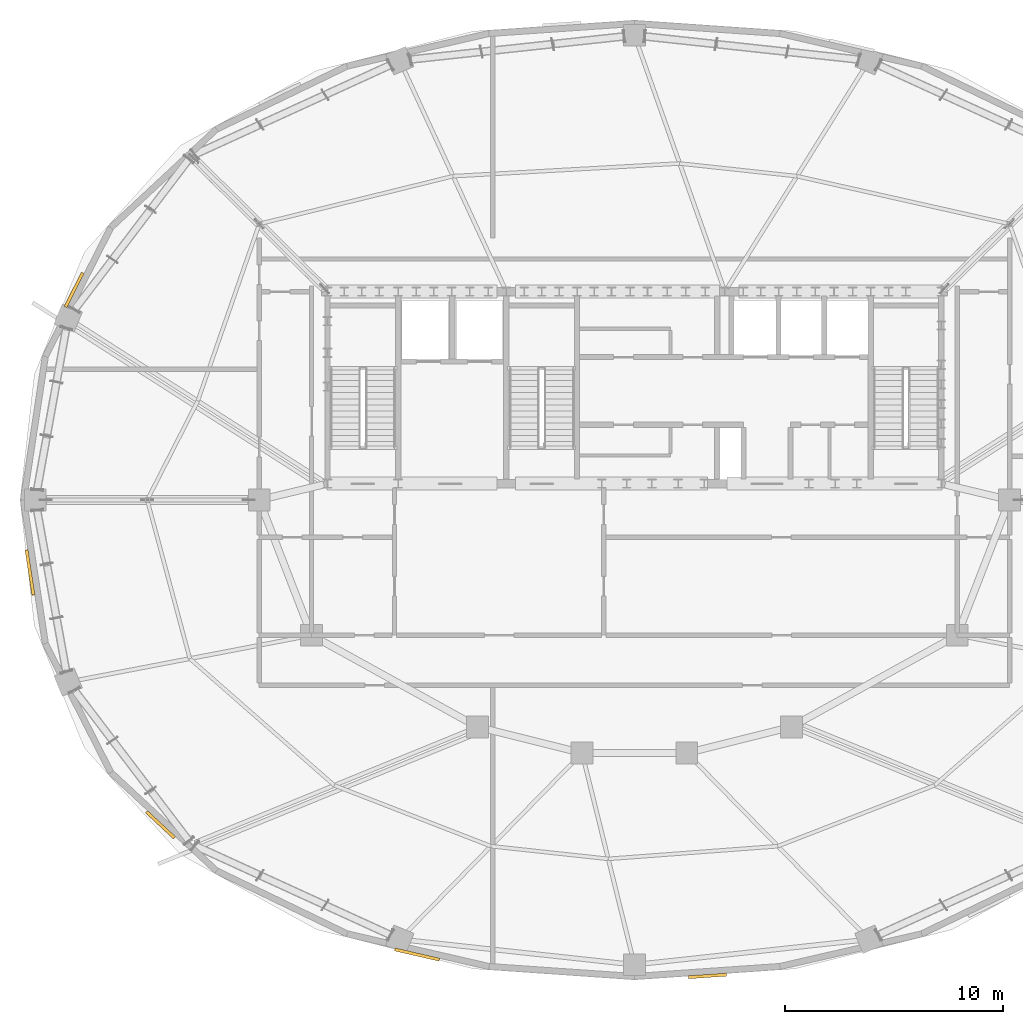
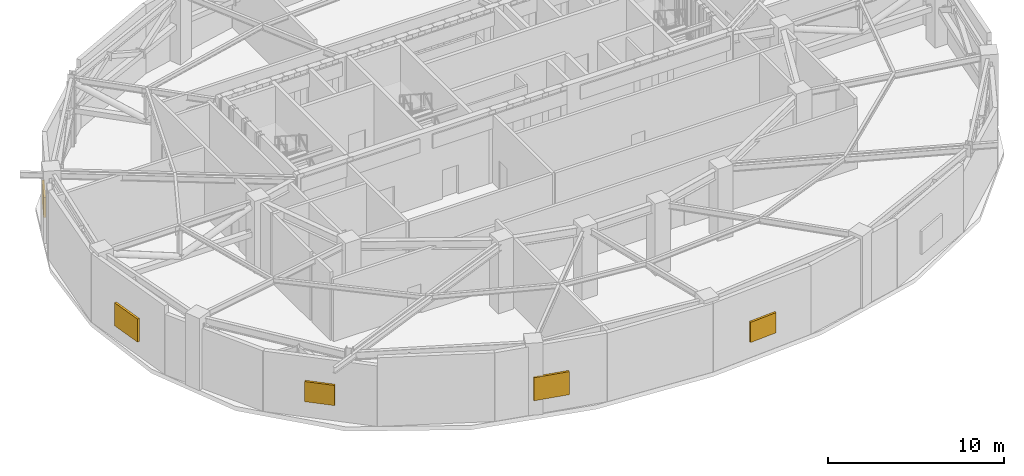
# One storey, part 17 of 20: 5 shading devices.
"""IFC4 building model written with IfcOpenShell, lengths in metres."""

from ifc_helpers import new_model, si_unit, direction, frame, origin, origin_2d, place, context, subcontext, project, spatial, rectangle, extrude, material, type_object, element, save


model = new_model("IFC4")

# Units and contexts
model_context = context("Model", 3, precision=1e-05, world=origin(), true_north=direction((0.0, 1.0)))
body_context = subcontext(model_context, "Body", "Model", "MODEL_VIEW")
ifc_project = project(units=[si_unit("LENGTHUNIT", "METRE"), si_unit("AREAUNIT", "SQUARE_METRE"), si_unit("VOLUMEUNIT", "CUBIC_METRE"), si_unit("PLANEANGLEUNIT", "RADIAN"), si_unit("MASSUNIT", "GRAM", prefix="KILO")], contexts=[model_context])

# Site, building, storey
site_placement = place(None, origin())
site = spatial("IfcSite", under=ifc_project, at=site_placement, CompositionType="ELEMENT")
building_placement = place(site_placement, origin())
building = spatial("IfcBuilding", under=site, at=building_placement, Name="Haldorwick Loom Tower", CompositionType="ELEMENT")
storey_placement = place(building_placement, frame((0.0, 0.0, 222.10009765625)))
storey = spatial("IfcBuildingStorey", under=building, at=storey_placement, Name="L60", CompositionType="ELEMENT", Elevation=222.10009765625)

# Shading devices
ifc_material = material(Name="Extruded Anodized Aluminium Weather Louvre", Category="aluminium")
shading_device_type_1 = type_object("IfcShadingDeviceType", Name="ARC-SHD-LOUVRE", PredefinedType="JALOUSIE", material=ifc_material)
for number, where, z_axis, x_axis, name in (
    (1, (8.2919921875, 22.6767578125, 1.0498046875), (0.0, 0.0, 1.0), (0.151260820247, -0.988493886809, 0.0), "L60 Mechanical Intake Weather Louvre 13"),
    (2, (26.03564453125, 5.1611328125, 1.0498046875), (0.0, 0.0, 1.0), (0.974370064785, -0.224951054344, 0.0), "L60 Mechanical Intake Weather Louvre 17"),
):
    element("IfcShadingDevice", number, at=place(storey_placement, frame(where, z_axis=z_axis, x_axis=x_axis)), inside=storey, type_object=shading_device_type_1, Name=name, PredefinedType="JALOUSIE", context=body_context, shape_type="SweptSolid", body=[
        extrude(rectangle(XDim=2.10009765625, YDim=0.139892578125, at=origin_2d()), origin(), (0.0, 0.0, 1.0), 1.60009765625),
    ])
shading_device_type_2 = type_object("IfcShadingDeviceType", Name="ARC-SHD-LOUVRE2", PredefinedType="JALOUSIE", material=ifc_material)
for number, where, z_axis, x_axis, name in (
    (3, (10.312255859375, 35.6279296875, 1.14990234375), (0.0, 0.0, 1.0), (-0.452434709312, -0.891797529605, 0.0), "L60 Mechanical Intake Weather Louvre 11"),
    (4, (14.276611328125, 11.109375, 1.14990234375), (0.0, 0.0, 1.0), (0.731353701619, -0.681998360062, 0.0), "L60 Mechanical Intake Weather Louvre 15"),
    (5, (39.3466796875, 4.179443359375, 1.14990234375), (0.0, 0.0, 1.0), (0.997684278836, 0.068015290665, 0.0), "L60 Mechanical Intake Weather Louvre 19"),
):
    element("IfcShadingDevice", number, at=place(storey_placement, frame(where, z_axis=z_axis, x_axis=x_axis)), inside=storey, type_object=shading_device_type_2, Name=name, PredefinedType="JALOUSIE", context=body_context, shape_type="SweptSolid", body=[
        extrude(rectangle(XDim=1.75, YDim=0.139892578125, at=origin_2d()), origin(), (0.0, 0.0, 1.0), 1.39990234375),
    ])

save(model, "model.ifc")
